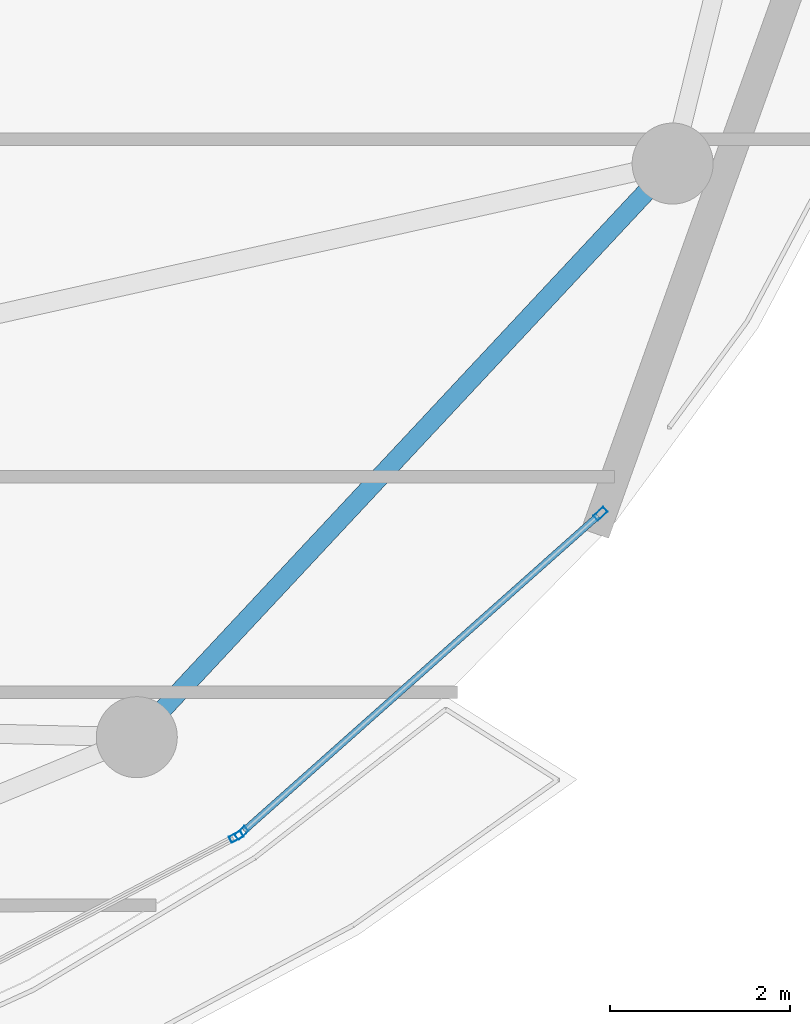
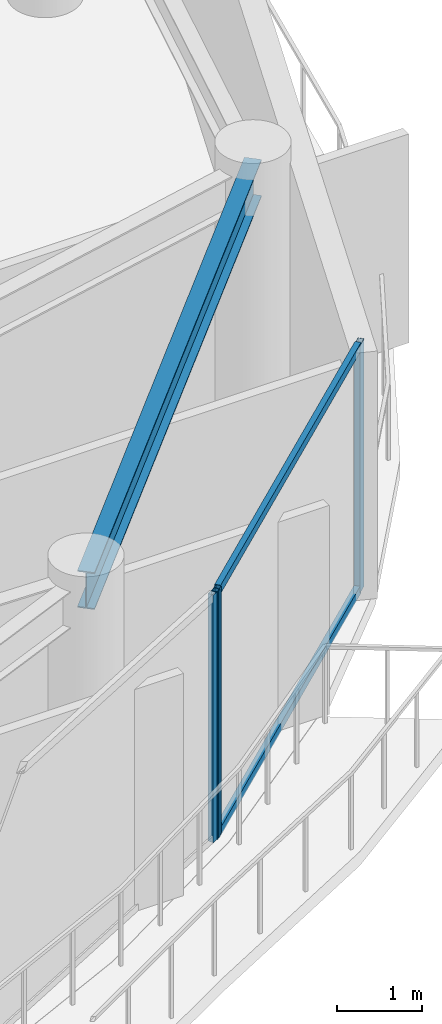
# One storey, part 15 of 30: 5 members, 1 beam, 2 elements without a shape of their own.
"""IFC4 building model written with IfcOpenShell, lengths in metres."""

from ifc_helpers import new_model, si_unit, direction, frame, origin, origin_2d, place, context, subcontext, project, spatial, hollow_rectangle, i_section, extrude, material, layer, layer_set, material_profile, profile_set, type_object, element, aggregate, save


model = new_model("IFC4")

# Units and contexts
model_context = context("Model", 3, precision=1e-05, world=origin(), true_north=direction((0.0, 1.0)))
body_context = subcontext(model_context, "Body", "Model", "MODEL_VIEW")
ifc_project = project(units=[si_unit("LENGTHUNIT", "METRE"), si_unit("AREAUNIT", "SQUARE_METRE"), si_unit("VOLUMEUNIT", "CUBIC_METRE"), si_unit("PLANEANGLEUNIT", "RADIAN"), si_unit("MASSUNIT", "GRAM", prefix="KILO")], contexts=[model_context])

# Site, building, storey
site_placement = place(None, origin())
site = spatial("IfcSite", under=ifc_project, at=site_placement, CompositionType="ELEMENT")
building_placement = place(site_placement, origin())
building = spatial("IfcBuilding", under=site, at=building_placement, Name="Kazevale Care Tower and Concert Hall", CompositionType="ELEMENT")
storey_placement = place(building_placement, frame((0.0, 0.0, 258.60009765625)))
storey = spatial("IfcBuildingStorey", under=building, at=storey_placement, Name="L68", CompositionType="ELEMENT", Elevation=258.60009765625)

# Curtain wall, members
ifc_material_1 = material(Name="Aluminium 6063-T6 and Low-E Glass", Category="aluminium")
ifc_layer = layer(ifc_material_1, 0.179931640625)
ifc_layer_set = layer_set([ifc_layer], Name="Aluminium 6063-T6 and Low-E Glass")
curtain_wall_type = type_object("IfcCurtainWallType", Name="Sheltered Concave Balcony Curtain Wall CW-5", PredefinedType="NOTDEFINED", material=ifc_layer_set)
curtain_wall_1_placement = place(storey_placement, origin())
curtain_wall_1 = element("IfcCurtainWall", 1, at=curtain_wall_1_placement, inside=storey, type_object=curtain_wall_type, Name="cw:L68:f02", PredefinedType="NOTDEFINED")
ifc_material_2 = material(Name="Aluminium 6063-T6", Category="aluminium")
ifc_material_profile_1 = material_profile(ifc_material_2, hollow_rectangle(XDim=0.074951171875, YDim=0.14990234375, WallThickness=0.00390625, at=origin_2d()), Name="ALU75x150x4")
ifc_profile_set_1 = profile_set([ifc_material_profile_1], Name="Aluminium 6063-T6")
member_type_1 = type_object("IfcMemberType", Name="CW-5 Mullion ALU75x150x4", PredefinedType="MULLION", material=ifc_profile_set_1)
member_1_placement = place(storey_placement, frame((69.55908203125, 25.592041015625, 0.0), z_axis=(0.0, 0.0, 1.0), x_axis=(0.664673629123, -0.747133834563, 0.0)))
member_1 = element("IfcMember", 2, at=member_1_placement, type_object=member_type_1, Name="CW-5 mullion 1", PredefinedType="MULLION", context=body_context, shape_type="SweptSolid", body=[
    extrude(hollow_rectangle(XDim=0.074951171875, YDim=0.14990234375, WallThickness=0.00390625, at=origin_2d()), origin(), (0.0, 0.0, 1.0), 3.559814453125),
])
member_2_placement = place(storey_placement, frame((65.573974609375, 22.046875, 0.0), z_axis=(0.0, 0.0, 1.0), x_axis=(0.664673629123, -0.747133834563, 0.0)))
member_2 = element("IfcMember", 3, at=member_2_placement, type_object=member_type_1, Name="CW-5 mullion 2", PredefinedType="MULLION", context=body_context, shape_type="SweptSolid", body=[
    extrude(hollow_rectangle(XDim=0.074951171875, YDim=0.14990234375, WallThickness=0.00390625, at=origin_2d()), origin(), (0.0, 0.0, 1.0), 3.559814453125),
])

# Curtain wall, member
curtain_wall_2_placement = place(storey_placement, origin())
curtain_wall_2 = element("IfcCurtainWall", 4, at=curtain_wall_2_placement, inside=storey, type_object=curtain_wall_type, Name="cw:L68:f03", PredefinedType="NOTDEFINED")
member_3_placement = place(storey_placement, frame((65.5126953125, 22.004638671875, 0.0), z_axis=(0.0, 0.0, 1.0), x_axis=(0.463680915912, -0.886002261972, 0.0)))
member_3 = element("IfcMember", 5, at=member_3_placement, type_object=member_type_1, Name="CW-5 mullion 1", PredefinedType="MULLION", context=body_context, shape_type="SweptSolid", body=[
    extrude(hollow_rectangle(XDim=0.074951171875, YDim=0.14990234375, WallThickness=0.00390625, at=origin_2d()), origin(), (0.0, 0.0, 1.0), 3.559814453125),
])
aggregate(curtain_wall_2, [member_3])

# Member
ifc_material_profile_2 = material_profile(ifc_material_2, hollow_rectangle(XDim=0.074951171875, YDim=0.1201171875, WallThickness=0.00390625, at=origin_2d()), Name="ALU75x120x4")
ifc_profile_set_2 = profile_set([ifc_material_profile_2], Name="Aluminium 6063-T6")
member_type_2 = type_object("IfcMemberType", Name="CW-5 Transom ALU75x120x4", PredefinedType="USERDEFINED", material=ifc_profile_set_2)
member_4_placement = place(storey_placement, frame((69.531005859375, 25.567138671875, 0.037353515625), z_axis=(-0.747130057657, -0.664677874572, 0.0), x_axis=(0.664677874572, -0.747130057657, 0.0)))
member_4 = element("IfcMember", 6, at=member_4_placement, type_object=member_type_2, Name="CW-5 transom 1.1", ObjectType="TRANSOM", PredefinedType="USERDEFINED", context=body_context, shape_type="SweptSolid", body=[
    extrude(hollow_rectangle(XDim=0.074951171875, YDim=0.1201171875, WallThickness=0.00390625, at=origin_2d()), origin(), (0.0, 0.0, 1.0), 5.2587890625),
])

member_5_placement = place(storey_placement, frame((69.531005859375, 25.567138671875, 3.5224609375), z_axis=(-0.747130057657, -0.664677874572, 0.0), x_axis=(0.664677874572, -0.747130057657, 0.0)))
member_5 = element("IfcMember", 7, at=member_5_placement, type_object=member_type_2, Name="CW-5 transom 1.2", ObjectType="TRANSOM", PredefinedType="USERDEFINED", context=body_context, shape_type="SweptSolid", body=[
    extrude(hollow_rectangle(XDim=0.074951171875, YDim=0.1201171875, WallThickness=0.00390625, at=origin_2d()), origin(), (0.0, 0.0, 1.0), 5.2587890625),
])

aggregate(curtain_wall_1, [member_1, member_2, member_4, member_5])

# Beam
ifc_material_3 = material(Name="Steel ASTM A572 Gr 50", Category="steel")
ifc_material_profile_3 = material_profile(ifc_material_3, i_section(OverallWidth=0.208984375, OverallDepth=0.532958984375, WebThickness=0.01025390625, FlangeThickness=0.015625, at=origin_2d()), Name="W530x92")
ifc_profile_set_3 = profile_set([ifc_material_profile_3], Name="Steel ASTM A572 Gr 50")
beam_type = type_object("IfcBeamType", Name="Upper Ring Beam W530x92", PredefinedType="BEAM", material=ifc_profile_set_3)
beam_placement = place(storey_placement, frame((64.409912109375, 23.110107421875, 3.29345703125), z_axis=(0.682623556843, 0.730770196192, 0.0), x_axis=(-0.730770196192, 0.682623556843, 0.0)))
element("IfcBeam", 8, at=beam_placement, inside=storey, type_object=beam_type, Name="beam:L68:ring:15", PredefinedType="BEAM", context=body_context, shape_type="SweptSolid", body=[
    extrude(i_section(OverallWidth=0.208984375, OverallDepth=0.532958984375, WebThickness=0.01025390625, FlangeThickness=0.015625, at=origin_2d()), origin(), (0.0, 0.0, 1.0), 8.716552734375),
])

save(model, "model.ifc")
